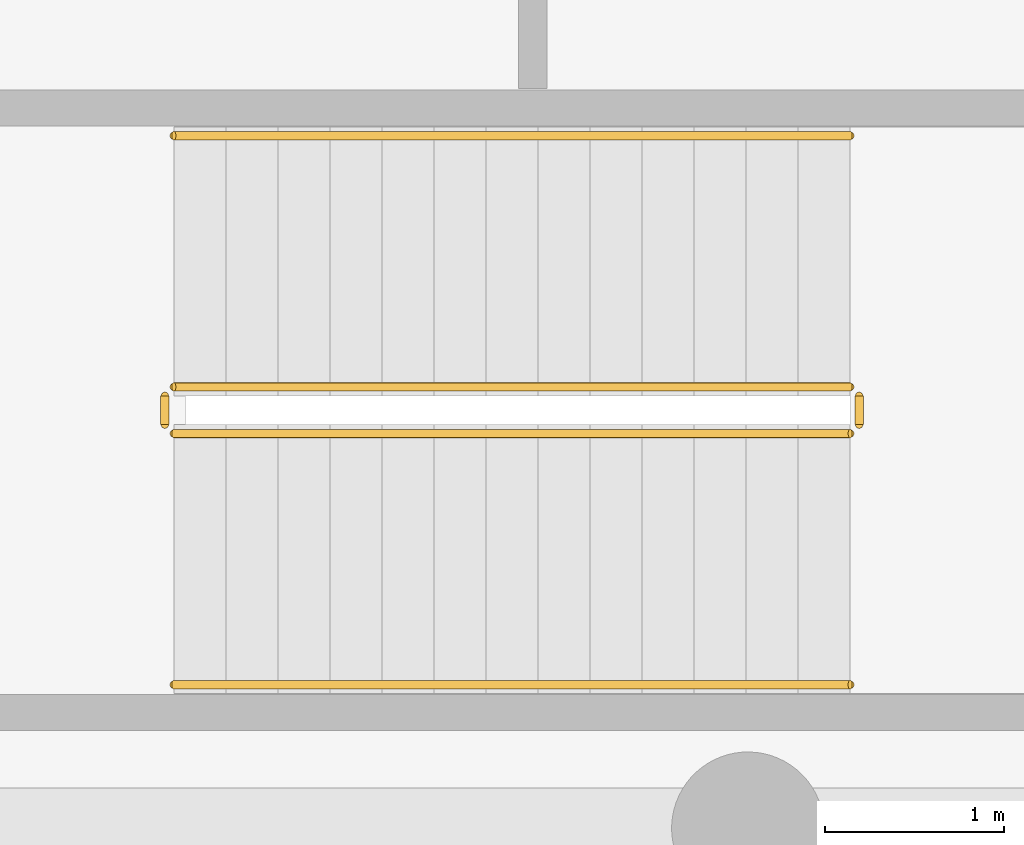
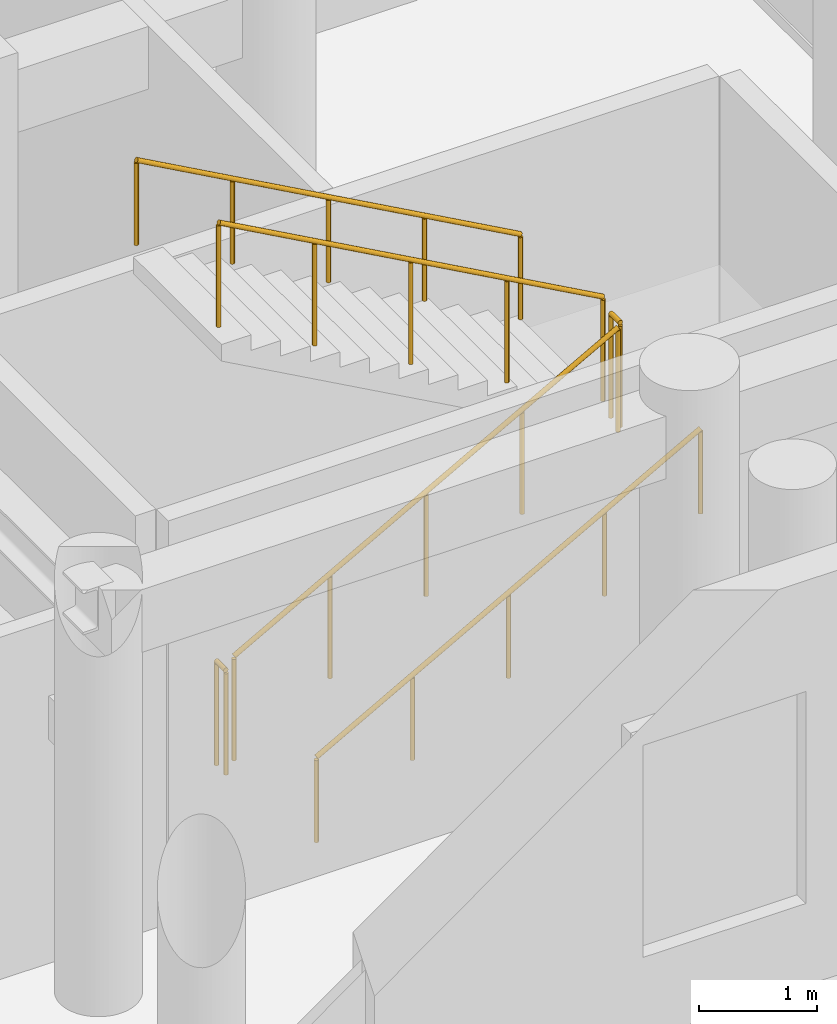
# One storey, part 25 of 26: 6 railings.
"""IFC4 building model written with IfcOpenShell, lengths in metres."""

from ifc_helpers import new_model, si_unit, direction, frame, origin, origin_2d, place, context, subcontext, project, spatial, circle, extrude, material, layer, layer_set, type_object, element, save


model = new_model("IFC4")

# Units and contexts
model_context = context("Model", 3, precision=1e-05, world=origin(), true_north=direction((0.0, 1.0)))
body_context = subcontext(model_context, "Body", "Model", "MODEL_VIEW")
ifc_project = project(units=[si_unit("LENGTHUNIT", "METRE"), si_unit("AREAUNIT", "SQUARE_METRE"), si_unit("VOLUMEUNIT", "CUBIC_METRE"), si_unit("PLANEANGLEUNIT", "RADIAN"), si_unit("MASSUNIT", "GRAM", prefix="KILO")], contexts=[model_context])

# Site, building, storey
site_placement = place(None, origin())
site = spatial("IfcSite", under=ifc_project, at=site_placement, CompositionType="ELEMENT")
building_placement = place(site_placement, origin())
building = spatial("IfcBuilding", under=site, at=building_placement, Name="Karkom Vertical University and Central Library", CompositionType="ELEMENT")
storey_placement = place(building_placement, frame((0.0, 0.0, 4.5)))
storey = spatial("IfcBuildingStorey", under=building, at=storey_placement, Name="L01", CompositionType="ELEMENT", Elevation=4.5)

# Railings
ifc_material_1 = material(Name="Painted galvanised steel balustrade", Category="steel")
ifc_layer_1 = layer(ifc_material_1, 0.06005859375)
ifc_layer_set_1 = layer_set([ifc_layer_1], Name="Painted galvanised steel balustrade")
railing_type_1 = type_object("IfcRailingType", Name="INT-RL-GUARD1100", PredefinedType="GUARDRAIL", material=ifc_layer_set_1)
railing_1_placement = place(storey_placement, frame((72.199951171875, 7.0, 0.16064453125)))
element("IfcRailing", 1, at=railing_1_placement, inside=storey, type_object=railing_type_1, Name="Level 01 LIB-ST1 stair guard 1", PredefinedType="GUARDRAIL", context=body_context, shape_type="SweptSolid", body=[
    extrude(circle(Radius=0.02392578125, at=origin_2d()), frame((0.0, 0.0, 1.076171875), z_axis=(0.874659101714, 0.0, 0.484738543742), x_axis=(0.0, 1.0, 0.0)), (0.0, 0.0, 1.0), 4.310302734375),
    extrude(circle(Radius=0.02099609375, at=origin_2d()), origin(), (0.0, 0.0, 1.0), 1.052001953125),
    extrude(circle(Radius=0.02099609375, at=origin_2d()), frame((0.9423828125, 0.0, 0.5224609375)), (0.0, 0.0, 1.0), 1.052001953125),
    extrude(circle(Radius=0.02099609375, at=origin_2d()), frame((1.885009765625, 0.0, 1.044677734375)), (0.0, 0.0, 1.0), 1.052001953125),
    extrude(circle(Radius=0.02099609375, at=origin_2d()), frame((2.82763671875, 0.0, 1.56689453125)), (0.0, 0.0, 1.0), 1.052001953125),
    extrude(circle(Radius=0.02099609375, at=origin_2d()), frame((3.77001953125, 0.0, 2.08935546875)), (0.0, 0.0, 1.0), 1.052001953125),
])
railing_2_placement = place(storey_placement, frame((76.02001953125, 7.050048828125, 2.25)))
element("IfcRailing", 2, at=railing_2_placement, inside=storey, type_object=railing_type_1, Name="Level 01 LIB-ST1 stair guard 2", PredefinedType="GUARDRAIL", context=body_context, shape_type="SweptSolid", body=[
    extrude(circle(Radius=0.02392578125, at=origin_2d()), frame((0.0, 0.0, 1.076171875), z_axis=(0.0, 1.0, 0.0), x_axis=(-1.0, 0.0, 0.0)), (0.0, 0.0, 1.0), 0.159912109375),
    extrude(circle(Radius=0.02099609375, at=origin_2d()), origin(), (0.0, 0.0, 1.0), 1.052001953125),
    extrude(circle(Radius=0.02099609375, at=origin_2d()), frame((0.0, 0.159912109375, 0.0)), (0.0, 0.0, 1.0), 1.052001953125),
])
railing_3_placement = place(storey_placement, frame((75.969970703125, 7.260009765625, 2.41064453125)))
element("IfcRailing", 3, at=railing_3_placement, inside=storey, type_object=railing_type_1, Name="Level 01 LIB-ST1 stair guard 3", PredefinedType="GUARDRAIL", context=body_context, shape_type="SweptSolid", body=[
    extrude(circle(Radius=0.02392578125, at=origin_2d()), frame((0.0, 0.0, 1.076171875), z_axis=(-0.874659101714, 0.0, 0.484738543742), x_axis=(0.0, -1.0, 0.0)), (0.0, 0.0, 1.0), 4.310302734375),
    extrude(circle(Radius=0.02099609375, at=origin_2d()), origin(), (0.0, 0.0, 1.0), 1.052001953125),
    extrude(circle(Radius=0.02099609375, at=origin_2d()), frame((-0.9423828125, 0.0, 0.5224609375)), (0.0, 0.0, 1.0), 1.052001953125),
    extrude(circle(Radius=0.02099609375, at=origin_2d()), frame((-1.885009765625, 0.0, 1.044677734375)), (0.0, 0.0, 1.0), 1.052001953125),
    extrude(circle(Radius=0.02099609375, at=origin_2d()), frame((-2.82763671875, 0.0, 1.56689453125)), (0.0, 0.0, 1.0), 1.052001953125),
    extrude(circle(Radius=0.02099609375, at=origin_2d()), frame((-3.77001953125, 0.0, 2.08935546875)), (0.0, 0.0, 1.0), 1.052001953125),
])
railing_4_placement = place(storey_placement, frame((72.14990234375, 7.050048828125, 0.0)))
element("IfcRailing", 4, at=railing_4_placement, inside=storey, type_object=railing_type_1, Name="Level 01 LIB-ST1 stair guard 4", PredefinedType="GUARDRAIL", context=body_context, shape_type="SweptSolid", body=[
    extrude(circle(Radius=0.02392578125, at=origin_2d()), frame((0.0, 0.0, 1.076171875), z_axis=(0.0, 1.0, 0.0), x_axis=(-1.0, 0.0, 0.0)), (0.0, 0.0, 1.0), 0.159912109375),
    extrude(circle(Radius=0.02099609375, at=origin_2d()), origin(), (0.0, 0.0, 1.0), 1.052001953125),
    extrude(circle(Radius=0.02099609375, at=origin_2d()), frame((0.0, 0.159912109375, 0.0)), (0.0, 0.0, 1.0), 1.052001953125),
])
ifc_material_2 = material(Name="Brushed stainless-steel tubular handrail", Category="steel")
ifc_layer_2 = layer(ifc_material_2, 0.048095703125)
ifc_layer_set_2 = layer_set([ifc_layer_2], Name="Brushed stainless-steel tubular handrail")
railing_type_2 = type_object("IfcRailingType", Name="INT-RL-HAND920", PredefinedType="HANDRAIL", material=ifc_layer_set_2)
railing_5_placement = place(storey_placement, frame((72.199951171875, 5.60009765625, 0.16064453125)))
element("IfcRailing", 5, at=railing_5_placement, inside=storey, type_object=railing_type_2, Name="Level 01 LIB-ST1 stair handrail 1", PredefinedType="HANDRAIL", context=body_context, shape_type="SweptSolid", body=[
    extrude(circle(Radius=0.02392578125, at=origin_2d()), frame((0.0, 0.0, 0.8759765625), z_axis=(0.874659101714, 0.0, 0.484738543742), x_axis=(0.0, 1.0, 0.0)), (0.0, 0.0, 1.0), 4.310302734375),
    extrude(circle(Radius=0.02099609375, at=origin_2d()), origin(), (0.0, 0.0, 1.0), 0.851806640625),
    extrude(circle(Radius=0.02099609375, at=origin_2d()), frame((0.9423828125, 0.0, 0.5224609375)), (0.0, 0.0, 1.0), 0.851806640625),
    extrude(circle(Radius=0.02099609375, at=origin_2d()), frame((1.885009765625, 0.0, 1.044677734375)), (0.0, 0.0, 1.0), 0.851806640625),
    extrude(circle(Radius=0.02099609375, at=origin_2d()), frame((2.82763671875, 0.0, 1.56689453125)), (0.0, 0.0, 1.0), 0.851806640625),
    extrude(circle(Radius=0.02099609375, at=origin_2d()), frame((3.77001953125, 0.0, 2.08935546875)), (0.0, 0.0, 1.0), 0.851806640625),
])
railing_6_placement = place(storey_placement, frame((75.969970703125, 8.659912109375, 2.41064453125)))
element("IfcRailing", 6, at=railing_6_placement, inside=storey, type_object=railing_type_2, Name="Level 01 LIB-ST1 stair handrail 2", PredefinedType="HANDRAIL", context=body_context, shape_type="SweptSolid", body=[
    extrude(circle(Radius=0.02392578125, at=origin_2d()), frame((0.0, 0.0, 0.8759765625), z_axis=(-0.874659101714, 0.0, 0.484738543742), x_axis=(0.0, -1.0, 0.0)), (0.0, 0.0, 1.0), 4.310302734375),
    extrude(circle(Radius=0.02099609375, at=origin_2d()), origin(), (0.0, 0.0, 1.0), 0.851806640625),
    extrude(circle(Radius=0.02099609375, at=origin_2d()), frame((-0.9423828125, 0.0, 0.5224609375)), (0.0, 0.0, 1.0), 0.851806640625),
    extrude(circle(Radius=0.02099609375, at=origin_2d()), frame((-1.885009765625, 0.0, 1.044677734375)), (0.0, 0.0, 1.0), 0.851806640625),
    extrude(circle(Radius=0.02099609375, at=origin_2d()), frame((-2.82763671875, 0.0, 1.56689453125)), (0.0, 0.0, 1.0), 0.851806640625),
    extrude(circle(Radius=0.02099609375, at=origin_2d()), frame((-3.77001953125, 0.0, 2.08935546875)), (0.0, 0.0, 1.0), 0.851806640625),
])

save(model, "model.ifc")
